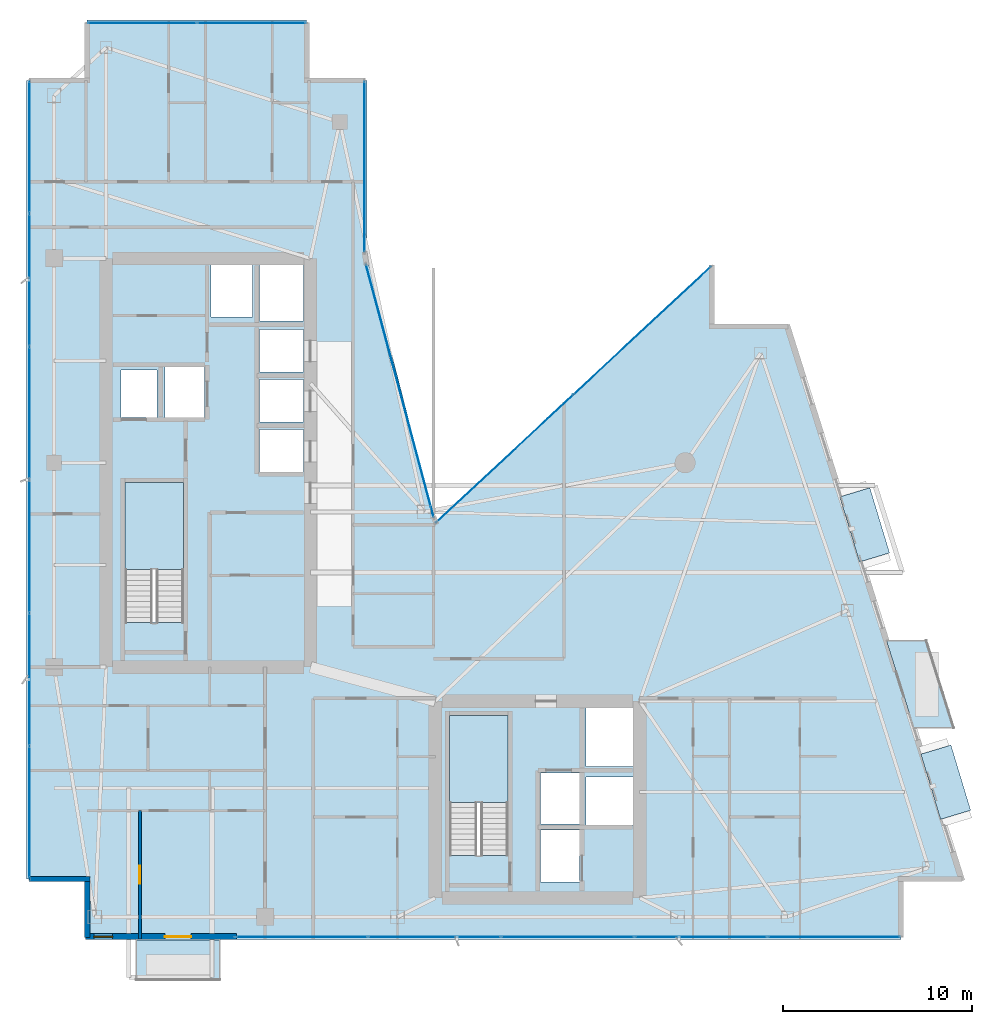
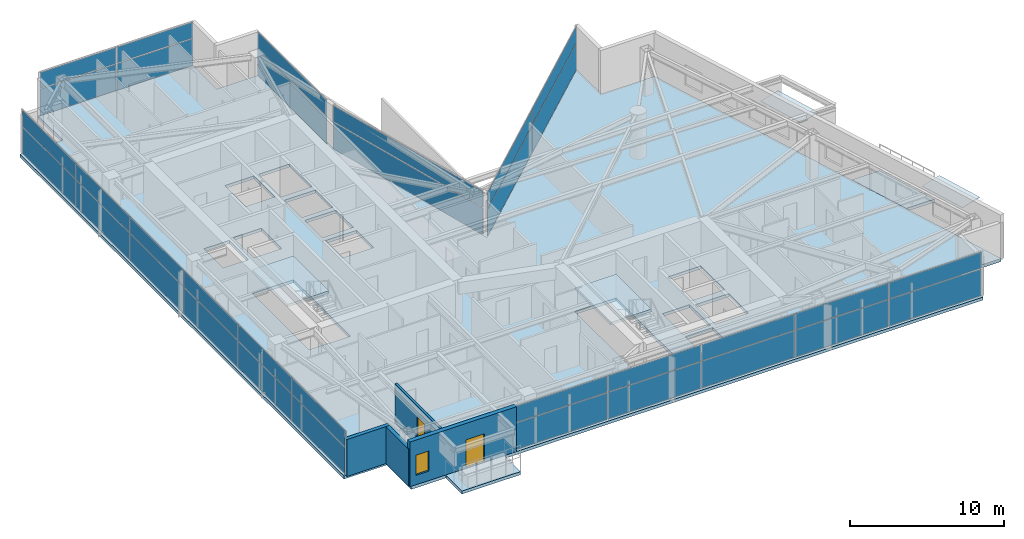
# One storey, part 21 of 27: 36 plates, 5 slabs, 4 walls, 2 doors, 1 window, 3 openings, 8 elements without a shape of their own.
"""IFC4 building model written with IfcOpenShell, lengths in metres."""

from ifc_helpers import new_model, si_unit, direction, frame, frame_2d, origin, origin_2d, place, context, subcontext, project, spatial, polyline, rectangle, outline, extrude, material, layer, layer_set, type_object, element, fill, aggregate, save


model = new_model("IFC4")

# Units and contexts
model_context = context("Model", 3, precision=1e-05, world=origin(), true_north=direction((0.0, 1.0)))
body_context = subcontext(model_context, "Body", "Model", "MODEL_VIEW")
ifc_project = project(units=[si_unit("LENGTHUNIT", "METRE"), si_unit("AREAUNIT", "SQUARE_METRE"), si_unit("VOLUMEUNIT", "CUBIC_METRE"), si_unit("PLANEANGLEUNIT", "RADIAN"), si_unit("MASSUNIT", "GRAM", prefix="KILO")], contexts=[model_context])

# Site, building, storey
site_placement = place(None, origin())
site = spatial("IfcSite", under=ifc_project, at=site_placement, CompositionType="ELEMENT")
building_placement = place(site_placement, origin())
building = spatial("IfcBuilding", under=site, at=building_placement, Name="Calvorn Quay Hotel", CompositionType="ELEMENT")
storey_placement = place(building_placement, frame((0.0, 0.0, 226.89990234375)))
storey = spatial("IfcBuildingStorey", under=building, at=storey_placement, Name="L56", CompositionType="ELEMENT", Elevation=226.89990234375)

# Curtain wall, plates
ifc_material_1 = material(Name="Champagne Bronze Anodised Aluminium and Low-E Glass", Category="aluminium")
ifc_layer_1 = layer(ifc_material_1, 0.219970703125)
ifc_layer_set_1 = layer_set([ifc_layer_1], Name="CW-SYS-Z3")
curtain_wall_type = type_object("IfcCurtainWallType", Name="CW-SYS-Z3", PredefinedType="NOTDEFINED", material=ifc_layer_set_1)
curtain_wall_1_placement = place(storey_placement, origin())
curtain_wall_1 = element("IfcCurtainWall", 1, at=curtain_wall_1_placement, inside=storey, type_object=curtain_wall_type, Name="Tower West Curtain Wall (L56)", PredefinedType="NOTDEFINED")
ifc_material_2 = material(Name="Low-E Laminated Double Glazing", Category="glass")
ifc_layer_2 = layer(ifc_material_2, 0.028076171875)
ifc_layer_set_2 = layer_set([ifc_layer_2], Name="CW-SYS-Z3-PAN")
plate_type_1 = type_object("IfcPlateType", Name="CW-SYS-Z3-PAN", PredefinedType="CURTAIN_PANEL", material=ifc_layer_set_2)
plate_1_placement = place(storey_placement, frame((0.14990234375, 9.131591796875, 0.06005859375), z_axis=(0.0, 0.0, 1.0), x_axis=(0.0, 1.0, 0.0)))
plate_1 = element("IfcPlate", 2, at=plate_1_placement, type_object=plate_type_1, Name="CW-L56-W panel 1.1", PredefinedType="CURTAIN_PANEL", context=body_context, shape_type="SweptSolid", body=[
    extrude(rectangle(XDim=6.943359375, YDim=0.028076171875, at=origin_2d()), origin(), (0.0, 0.0, 1.0), 2.110107421875),
])
plate_2_placement = place(storey_placement, frame((0.14990234375, 9.131591796875, 2.22998046875), z_axis=(0.0, 0.0, 1.0), x_axis=(0.0, 1.0, 0.0)))
plate_2 = element("IfcPlate", 3, at=plate_2_placement, type_object=plate_type_1, Name="CW-L56-W panel 1.2", PredefinedType="CURTAIN_PANEL", context=body_context, shape_type="SweptSolid", body=[
    extrude(rectangle(XDim=6.943359375, YDim=0.028076171875, at=origin_2d()), origin(), (0.0, 0.0, 1.0), 1.27001953125),
])
plate_3_placement = place(storey_placement, frame((0.14990234375, 16.14990234375, 0.06005859375), z_axis=(0.0, 0.0, 1.0), x_axis=(0.0, 1.0, 0.0)))
plate_3 = element("IfcPlate", 4, at=plate_3_placement, type_object=plate_type_1, Name="CW-L56-W panel 2.1", PredefinedType="CURTAIN_PANEL", context=body_context, shape_type="SweptSolid", body=[
    extrude(rectangle(XDim=6.973388671875, YDim=0.028076171875, at=origin_2d()), origin(), (0.0, 0.0, 1.0), 2.110107421875),
])
plate_4_placement = place(storey_placement, frame((0.14990234375, 16.14990234375, 2.22998046875), z_axis=(0.0, 0.0, 1.0), x_axis=(0.0, 1.0, 0.0)))
plate_4 = element("IfcPlate", 5, at=plate_4_placement, type_object=plate_type_1, Name="CW-L56-W panel 2.2", PredefinedType="CURTAIN_PANEL", context=body_context, shape_type="SweptSolid", body=[
    extrude(rectangle(XDim=6.973388671875, YDim=0.028076171875, at=origin_2d()), origin(), (0.0, 0.0, 1.0), 1.27001953125),
])
plate_5_placement = place(storey_placement, frame((0.14990234375, 23.183349609375, 0.06005859375), z_axis=(0.0, 0.0, 1.0), x_axis=(0.0, 1.0, 0.0)))
plate_5 = element("IfcPlate", 6, at=plate_5_placement, type_object=plate_type_1, Name="CW-L56-W panel 3.1", PredefinedType="CURTAIN_PANEL", context=body_context, shape_type="SweptSolid", body=[
    extrude(rectangle(XDim=6.973388671875, YDim=0.028076171875, at=origin_2d()), origin(), (0.0, 0.0, 1.0), 2.110107421875),
])
plate_6_placement = place(storey_placement, frame((0.14990234375, 23.183349609375, 2.22998046875), z_axis=(0.0, 0.0, 1.0), x_axis=(0.0, 1.0, 0.0)))
plate_6 = element("IfcPlate", 7, at=plate_6_placement, type_object=plate_type_1, Name="CW-L56-W panel 3.2", PredefinedType="CURTAIN_PANEL", context=body_context, shape_type="SweptSolid", body=[
    extrude(rectangle(XDim=6.973388671875, YDim=0.028076171875, at=origin_2d()), origin(), (0.0, 0.0, 1.0), 1.27001953125),
])
plate_7_placement = place(storey_placement, frame((0.14990234375, 30.216552734375, 0.06005859375), z_axis=(0.0, 0.0, 1.0), x_axis=(0.0, 1.0, 0.0)))
plate_7 = element("IfcPlate", 8, at=plate_7_placement, type_object=plate_type_1, Name="CW-L56-W panel 4.1", PredefinedType="CURTAIN_PANEL", context=body_context, shape_type="SweptSolid", body=[
    extrude(rectangle(XDim=6.973388671875, YDim=0.028076171875, at=origin_2d()), origin(), (0.0, 0.0, 1.0), 2.110107421875),
])
plate_8_placement = place(storey_placement, frame((0.14990234375, 30.216552734375, 2.22998046875), z_axis=(0.0, 0.0, 1.0), x_axis=(0.0, 1.0, 0.0)))
plate_8 = element("IfcPlate", 9, at=plate_8_placement, type_object=plate_type_1, Name="CW-L56-W panel 4.2", PredefinedType="CURTAIN_PANEL", context=body_context, shape_type="SweptSolid", body=[
    extrude(rectangle(XDim=6.973388671875, YDim=0.028076171875, at=origin_2d()), origin(), (0.0, 0.0, 1.0), 1.27001953125),
])
plate_9_placement = place(storey_placement, frame((0.14990234375, 37.25, 0.06005859375), z_axis=(0.0, 0.0, 1.0), x_axis=(0.0, 1.0, 0.0)))
plate_9 = element("IfcPlate", 10, at=plate_9_placement, type_object=plate_type_1, Name="CW-L56-W panel 5.1", PredefinedType="CURTAIN_PANEL", context=body_context, shape_type="SweptSolid", body=[
    extrude(rectangle(XDim=6.973388671875, YDim=0.028076171875, at=origin_2d()), origin(), (0.0, 0.0, 1.0), 2.110107421875),
])
plate_10_placement = place(storey_placement, frame((0.14990234375, 37.25, 2.22998046875), z_axis=(0.0, 0.0, 1.0), x_axis=(0.0, 1.0, 0.0)))
plate_10 = element("IfcPlate", 11, at=plate_10_placement, type_object=plate_type_1, Name="CW-L56-W panel 5.2", PredefinedType="CURTAIN_PANEL", context=body_context, shape_type="SweptSolid", body=[
    extrude(rectangle(XDim=6.973388671875, YDim=0.028076171875, at=origin_2d()), origin(), (0.0, 0.0, 1.0), 1.27001953125),
])
plate_11_placement = place(storey_placement, frame((0.14990234375, 44.268310546875, 0.06005859375), z_axis=(0.0, 0.0, 1.0), x_axis=(0.0, 1.0, 0.0)))
plate_11 = element("IfcPlate", 12, at=plate_11_placement, type_object=plate_type_1, Name="CW-L56-W panel 6.1", PredefinedType="CURTAIN_PANEL", context=body_context, shape_type="SweptSolid", body=[
    extrude(rectangle(XDim=6.943359375, YDim=0.028076171875, at=origin_2d()), origin(), (0.0, 0.0, 1.0), 2.110107421875),
])
plate_12_placement = place(storey_placement, frame((0.14990234375, 44.268310546875, 2.22998046875), z_axis=(0.0, 0.0, 1.0), x_axis=(0.0, 1.0, 0.0)))
plate_12 = element("IfcPlate", 13, at=plate_12_placement, type_object=plate_type_1, Name="CW-L56-W panel 6.2", PredefinedType="CURTAIN_PANEL", context=body_context, shape_type="SweptSolid", body=[
    extrude(rectangle(XDim=6.943359375, YDim=0.028076171875, at=origin_2d()), origin(), (0.0, 0.0, 1.0), 1.27001953125),
])
aggregate(curtain_wall_1, [plate_1, plate_2, plate_3, plate_4, plate_5, plate_6, plate_7, plate_8, plate_9, plate_10, plate_11, plate_12])

curtain_wall_2_placement = place(storey_placement, origin())
curtain_wall_2 = element("IfcCurtainWall", 14, at=curtain_wall_2_placement, inside=storey, type_object=curtain_wall_type, Name="Tower South Waterfront Curtain Wall (L56)", PredefinedType="NOTDEFINED")
plate_13_placement = place(storey_placement, frame((14.534912109375, 2.550048828125, 0.06005859375), z_axis=(0.0, 0.0, 1.0), x_axis=(1.0, 0.0, 0.0)))
plate_13 = element("IfcPlate", 15, at=plate_13_placement, type_object=plate_type_1, Name="CW-L56-S panel 1.1", PredefinedType="CURTAIN_PANEL", context=body_context, shape_type="SweptSolid", body=[
    extrude(rectangle(XDim=6.949951171875, YDim=0.028076171875, at=origin_2d()), origin(), (0.0, 0.0, 1.0), 2.110107421875),
])
plate_14_placement = place(storey_placement, frame((14.534912109375, 2.550048828125, 2.22998046875), z_axis=(0.0, 0.0, 1.0), x_axis=(1.0, 0.0, 0.0)))
plate_14 = element("IfcPlate", 16, at=plate_14_placement, type_object=plate_type_1, Name="CW-L56-S panel 1.2", PredefinedType="CURTAIN_PANEL", context=body_context, shape_type="SweptSolid", body=[
    extrude(rectangle(XDim=6.949951171875, YDim=0.028076171875, at=origin_2d()), origin(), (0.0, 0.0, 1.0), 1.27001953125),
])
plate_15_placement = place(storey_placement, frame((21.56005859375, 2.550048828125, 0.06005859375), z_axis=(0.0, 0.0, 1.0), x_axis=(1.0, 0.0, 0.0)))
plate_15 = element("IfcPlate", 17, at=plate_15_placement, type_object=plate_type_1, Name="CW-L56-S panel 2.1", PredefinedType="CURTAIN_PANEL", context=body_context, shape_type="SweptSolid", body=[
    extrude(rectangle(XDim=6.97998046875, YDim=0.028076171875, at=origin_2d()), origin(), (0.0, 0.0, 1.0), 2.110107421875),
])
plate_16_placement = place(storey_placement, frame((21.56005859375, 2.550048828125, 2.22998046875), z_axis=(0.0, 0.0, 1.0), x_axis=(1.0, 0.0, 0.0)))
plate_16 = element("IfcPlate", 18, at=plate_16_placement, type_object=plate_type_1, Name="CW-L56-S panel 2.2", PredefinedType="CURTAIN_PANEL", context=body_context, shape_type="SweptSolid", body=[
    extrude(rectangle(XDim=6.97998046875, YDim=0.028076171875, at=origin_2d()), origin(), (0.0, 0.0, 1.0), 1.27001953125),
])
plate_17_placement = place(storey_placement, frame((28.60009765625, 2.550048828125, 0.06005859375), z_axis=(0.0, 0.0, 1.0), x_axis=(1.0, 0.0, 0.0)))
plate_17 = element("IfcPlate", 19, at=plate_17_placement, type_object=plate_type_1, Name="CW-L56-S panel 3.1", PredefinedType="CURTAIN_PANEL", context=body_context, shape_type="SweptSolid", body=[
    extrude(rectangle(XDim=6.97998046875, YDim=0.028076171875, at=origin_2d()), origin(), (0.0, 0.0, 1.0), 2.110107421875),
])
plate_18_placement = place(storey_placement, frame((28.60009765625, 2.550048828125, 2.22998046875), z_axis=(0.0, 0.0, 1.0), x_axis=(1.0, 0.0, 0.0)))
plate_18 = element("IfcPlate", 20, at=plate_18_placement, type_object=plate_type_1, Name="CW-L56-S panel 3.2", PredefinedType="CURTAIN_PANEL", context=body_context, shape_type="SweptSolid", body=[
    extrude(rectangle(XDim=6.97998046875, YDim=0.028076171875, at=origin_2d()), origin(), (0.0, 0.0, 1.0), 1.27001953125),
])
plate_19_placement = place(storey_placement, frame((35.639892578125, 2.550048828125, 0.06005859375), z_axis=(0.0, 0.0, 1.0), x_axis=(1.0, 0.0, 0.0)))
plate_19 = element("IfcPlate", 21, at=plate_19_placement, type_object=plate_type_1, Name="CW-L56-S panel 4.1", PredefinedType="CURTAIN_PANEL", context=body_context, shape_type="SweptSolid", body=[
    extrude(rectangle(XDim=6.97998046875, YDim=0.028076171875, at=origin_2d()), origin(), (0.0, 0.0, 1.0), 2.110107421875),
])
plate_20_placement = place(storey_placement, frame((35.639892578125, 2.550048828125, 2.22998046875), z_axis=(0.0, 0.0, 1.0), x_axis=(1.0, 0.0, 0.0)))
plate_20 = element("IfcPlate", 22, at=plate_20_placement, type_object=plate_type_1, Name="CW-L56-S panel 4.2", PredefinedType="CURTAIN_PANEL", context=body_context, shape_type="SweptSolid", body=[
    extrude(rectangle(XDim=6.97998046875, YDim=0.028076171875, at=origin_2d()), origin(), (0.0, 0.0, 1.0), 1.27001953125),
])
plate_21_placement = place(storey_placement, frame((42.6650390625, 2.550048828125, 0.06005859375), z_axis=(0.0, 0.0, 1.0), x_axis=(1.0, 0.0, 0.0)))
plate_21 = element("IfcPlate", 23, at=plate_21_placement, type_object=plate_type_1, Name="CW-L56-S panel 5.1", PredefinedType="CURTAIN_PANEL", context=body_context, shape_type="SweptSolid", body=[
    extrude(rectangle(XDim=6.949951171875, YDim=0.028076171875, at=origin_2d()), origin(), (0.0, 0.0, 1.0), 2.110107421875),
])
plate_22_placement = place(storey_placement, frame((42.6650390625, 2.550048828125, 2.22998046875), z_axis=(0.0, 0.0, 1.0), x_axis=(1.0, 0.0, 0.0)))
plate_22 = element("IfcPlate", 24, at=plate_22_placement, type_object=plate_type_1, Name="CW-L56-S panel 5.2", PredefinedType="CURTAIN_PANEL", context=body_context, shape_type="SweptSolid", body=[
    extrude(rectangle(XDim=6.949951171875, YDim=0.028076171875, at=origin_2d()), origin(), (0.0, 0.0, 1.0), 1.27001953125),
])
aggregate(curtain_wall_2, [plate_13, plate_14, plate_15, plate_16, plate_17, plate_18, plate_19, plate_20, plate_21, plate_22])

curtain_wall_3_placement = place(storey_placement, origin())
curtain_wall_3 = element("IfcCurtainWall", 25, at=curtain_wall_3_placement, inside=storey, type_object=curtain_wall_type, Name="Inner Court Curtain Wall L56-NE1", PredefinedType="NOTDEFINED")
plate_23_placement = place(storey_placement, frame((32.5390625, 34.58984375, 0.06005859375), z_axis=(0.0, 0.0, 1.0), x_axis=(-0.731721570922, -0.681603655102, 0.0)))
plate_23 = element("IfcPlate", 26, at=plate_23_placement, type_object=plate_type_1, Name="CW-L56-NE1 panel 1.1", PredefinedType="CURTAIN_PANEL", context=body_context, shape_type="SweptSolid", body=[
    extrude(rectangle(XDim=9.886474609375, YDim=0.028076171875, at=origin_2d()), origin(), (0.0, 0.0, 1.0), 2.110107421875),
])
plate_24_placement = place(storey_placement, frame((32.5390625, 34.58984375, 2.22998046875), z_axis=(0.0, 0.0, 1.0), x_axis=(-0.731721570922, -0.681603655102, 0.0)))
plate_24 = element("IfcPlate", 27, at=plate_24_placement, type_object=plate_type_1, Name="CW-L56-NE1 panel 1.2", PredefinedType="CURTAIN_PANEL", context=body_context, shape_type="SweptSolid", body=[
    extrude(rectangle(XDim=9.886474609375, YDim=0.028076171875, at=origin_2d()), origin(), (0.0, 0.0, 1.0), 1.27001953125),
])
plate_25_placement = place(storey_placement, frame((25.260986328125, 27.810302734375, 0.06005859375), z_axis=(0.0, 0.0, 1.0), x_axis=(-0.731721570922, -0.681603655102, 0.0)))
plate_25 = element("IfcPlate", 28, at=plate_25_placement, type_object=plate_type_1, Name="CW-L56-NE1 panel 2.1", PredefinedType="CURTAIN_PANEL", context=body_context, shape_type="SweptSolid", body=[
    extrude(rectangle(XDim=9.886474609375, YDim=0.028076171875, at=origin_2d()), origin(), (0.0, 0.0, 1.0), 2.110107421875),
])
plate_26_placement = place(storey_placement, frame((25.260986328125, 27.810302734375, 2.22998046875), z_axis=(0.0, 0.0, 1.0), x_axis=(-0.731721570922, -0.681603655102, 0.0)))
plate_26 = element("IfcPlate", 29, at=plate_26_placement, type_object=plate_type_1, Name="CW-L56-NE1 panel 2.2", PredefinedType="CURTAIN_PANEL", context=body_context, shape_type="SweptSolid", body=[
    extrude(rectangle(XDim=9.886474609375, YDim=0.028076171875, at=origin_2d()), origin(), (0.0, 0.0, 1.0), 1.27001953125),
])
aggregate(curtain_wall_3, [plate_23, plate_24, plate_25, plate_26])

curtain_wall_4_placement = place(storey_placement, origin())
curtain_wall_4 = element("IfcCurtainWall", 30, at=curtain_wall_4_placement, inside=storey, type_object=curtain_wall_type, Name="Inner Court Curtain Wall L56-IC1", PredefinedType="NOTDEFINED")
plate_27_placement = place(storey_placement, frame((19.72509765625, 31.39990234375, 0.06005859375), z_axis=(0.0, 0.0, 1.0), x_axis=(-0.25877913024, 0.96593652056, 0.0)))
plate_27 = element("IfcPlate", 31, at=plate_27_placement, type_object=plate_type_1, Name="CW-L56-IC1 panel 1.1", PredefinedType="CURTAIN_PANEL", context=body_context, shape_type="SweptSolid", body=[
    extrude(rectangle(XDim=13.814697265625, YDim=0.028076171875, at=origin_2d()), origin(), (0.0, 0.0, 1.0), 2.110107421875),
])
plate_28_placement = place(storey_placement, frame((19.72509765625, 31.39990234375, 2.22998046875), z_axis=(0.0, 0.0, 1.0), x_axis=(-0.25877913024, 0.96593652056, 0.0)))
plate_28 = element("IfcPlate", 32, at=plate_28_placement, type_object=plate_type_1, Name="CW-L56-IC1 panel 1.2", PredefinedType="CURTAIN_PANEL", context=body_context, shape_type="SweptSolid", body=[
    extrude(rectangle(XDim=13.814697265625, YDim=0.028076171875, at=origin_2d()), origin(), (0.0, 0.0, 1.0), 1.27001953125),
])
aggregate(curtain_wall_4, [plate_27, plate_28])

curtain_wall_5_placement = place(storey_placement, origin())
curtain_wall_5 = element("IfcCurtainWall", 33, at=curtain_wall_5_placement, inside=storey, type_object=curtain_wall_type, Name="Inner Court Curtain Wall L56-IC2", PredefinedType="NOTDEFINED")
plate_29_placement = place(storey_placement, frame((17.85009765625, 43.239990234375, 0.06005859375), z_axis=(0.0, 0.0, 1.0), x_axis=(0.0, 1.0, 0.0)))
plate_29 = element("IfcPlate", 34, at=plate_29_placement, type_object=plate_type_1, Name="CW-L56-IC2 panel 1.1", PredefinedType="CURTAIN_PANEL", context=body_context, shape_type="SweptSolid", body=[
    extrude(rectangle(XDim=9.0, YDim=0.028076171875, at=origin_2d()), origin(), (0.0, 0.0, 1.0), 2.110107421875),
])
plate_30_placement = place(storey_placement, frame((17.85009765625, 43.239990234375, 2.22998046875), z_axis=(0.0, 0.0, 1.0), x_axis=(0.0, 1.0, 0.0)))
plate_30 = element("IfcPlate", 35, at=plate_30_placement, type_object=plate_type_1, Name="CW-L56-IC2 panel 1.2", PredefinedType="CURTAIN_PANEL", context=body_context, shape_type="SweptSolid", body=[
    extrude(rectangle(XDim=9.0, YDim=0.028076171875, at=origin_2d()), origin(), (0.0, 0.0, 1.0), 1.27001953125),
])
aggregate(curtain_wall_5, [plate_29, plate_30])

curtain_wall_6_placement = place(storey_placement, origin())
curtain_wall_6 = element("IfcCurtainWall", 36, at=curtain_wall_6_placement, inside=storey, type_object=curtain_wall_type, Name="Inner Court Curtain Wall L56-N1", PredefinedType="NOTDEFINED")
plate_31_placement = place(storey_placement, frame((11.885009765625, 50.85009765625, 0.06005859375), z_axis=(0.0, 0.0, 1.0), x_axis=(-1.0, 0.0, 0.0)))
plate_31 = element("IfcPlate", 37, at=plate_31_placement, type_object=plate_type_1, Name="CW-L56-N1 panel 1.1", PredefinedType="CURTAIN_PANEL", context=body_context, shape_type="SweptSolid", body=[
    extrude(rectangle(XDim=5.7099609375, YDim=0.028076171875, at=origin_2d()), origin(), (0.0, 0.0, 1.0), 2.110107421875),
])
plate_32_placement = place(storey_placement, frame((11.885009765625, 50.85009765625, 2.22998046875), z_axis=(0.0, 0.0, 1.0), x_axis=(-1.0, 0.0, 0.0)))
plate_32 = element("IfcPlate", 38, at=plate_32_placement, type_object=plate_type_1, Name="CW-L56-N1 panel 1.2", PredefinedType="CURTAIN_PANEL", context=body_context, shape_type="SweptSolid", body=[
    extrude(rectangle(XDim=5.7099609375, YDim=0.028076171875, at=origin_2d()), origin(), (0.0, 0.0, 1.0), 1.27001953125),
])
plate_33_placement = place(storey_placement, frame((6.114990234375, 50.85009765625, 0.06005859375), z_axis=(0.0, 0.0, 1.0), x_axis=(-1.0, 0.0, 0.0)))
plate_33 = element("IfcPlate", 39, at=plate_33_placement, type_object=plate_type_1, Name="CW-L56-N1 panel 2.1", PredefinedType="CURTAIN_PANEL", context=body_context, shape_type="SweptSolid", body=[
    extrude(rectangle(XDim=5.7099609375, YDim=0.028076171875, at=origin_2d()), origin(), (0.0, 0.0, 1.0), 2.110107421875),
])
plate_34_placement = place(storey_placement, frame((6.114990234375, 50.85009765625, 2.22998046875), z_axis=(0.0, 0.0, 1.0), x_axis=(-1.0, 0.0, 0.0)))
plate_34 = element("IfcPlate", 40, at=plate_34_placement, type_object=plate_type_1, Name="CW-L56-N1 panel 2.2", PredefinedType="CURTAIN_PANEL", context=body_context, shape_type="SweptSolid", body=[
    extrude(rectangle(XDim=5.7099609375, YDim=0.028076171875, at=origin_2d()), origin(), (0.0, 0.0, 1.0), 1.27001953125),
])
aggregate(curtain_wall_6, [plate_31, plate_32, plate_33, plate_34])

# Plates
ifc_material_3 = material(Name="Tempered Laminated Low-E Glass", Category="glass")
ifc_layer_3 = layer(ifc_material_3, 0.0380859375)
ifc_layer_set_3 = layer_set([ifc_layer_3], Name="PLT-HOOD-GLAZ")
plate_type_2 = type_object("IfcPlateType", Name="PLT-HOOD-GLAZ", PredefinedType="SHEET", material=ifc_layer_set_3)
for number, where, z_axis, x_axis, name in (
    (41, (48.573974609375, 10.718017578125, 2.467041015625), (0.0, 0.0, 1.0), (0.957319497532, 0.289031796944, 0.0), "Angled Glass Bay Hood Panel L56-HOOD-1"),
    (42, (44.2890625, 24.318115234375, 2.467041015625), (0.0, 0.0, 1.0), (0.957319497532, 0.289031796944, 0.0), "Angled Glass Bay Hood Panel L56-HOOD-3"),
):
    element("IfcPlate", number, at=place(storey_placement, frame(where, z_axis=z_axis, x_axis=x_axis)), inside=storey, type_object=plate_type_2, Name=name, PredefinedType="SHEET", context=body_context, shape_type="SweptSolid", body=[
        extrude(rectangle(XDim=1.659912109375, YDim=3.60009765625, at=origin_2d()), origin(), (0.0, 0.0, 1.0), 0.0380859375),
    ])

# Slabs
ifc_material_4 = material(Name="Concrete C40", Category="concrete")
ifc_layer_4 = layer(ifc_material_4, 0.239990234375)
ifc_layer_set_4 = layer_set([ifc_layer_4], Name="SLB-BALCONY-220")
slab_type_1 = type_object("IfcSlabType", Name="SLB-BALCONY-220", PredefinedType="FLOOR", material=ifc_layer_set_4)
slab_1_placement = place(storey_placement, frame((0.0, 0.0, -0.239990234375)))
element("IfcSlab", 43, at=slab_1_placement, inside=storey, type_object=slab_type_1, Name="Tree Balcony Slab L56-BALC-E", PredefinedType="FLOOR", context=body_context, shape_type="SweptSolid", body=[
    extrude(outline(polyline([(46.888916015625, 13.60009765625), (48.989013671875, 13.60009765625), (47.5400390625, 18.199951171875), (45.43994140625, 18.199951171875), (46.888916015625, 13.60009765625)])), origin(), (0.0, 0.0, 1.0), 0.239990234375),
])
slab_2_placement = place(storey_placement, frame((0.0, 0.0, -0.239990234375)))
element("IfcSlab", 44, at=slab_2_placement, inside=storey, type_object=slab_type_1, Name="Tree Balcony Slab L56-BALC-S", PredefinedType="FLOOR", context=body_context, shape_type="SweptSolid", body=[
    extrude(outline(polyline([(5.800048828125, 0.2900390625), (10.199951171875, 0.2900390625), (10.199951171875, 2.389892578125), (5.800048828125, 2.389892578125), (5.800048828125, 0.2900390625)])), origin(), (0.0, 0.0, 1.0), 0.239990234375),
])

# Stair, slab
ifc_material_5 = material(Name="Concrete C40", Category="concrete")
stair_type = type_object("IfcStairType", Name="STR-CORE-DOGLEG", PredefinedType="HALF_TURN_STAIR", material=ifc_material_5)
stair_1_placement = place(storey_placement, origin())
stair_1 = element("IfcStair", 45, at=stair_1_placement, inside=storey, type_object=stair_type, Name="L56 ST-W", PredefinedType="HALF_TURN_STAIR")
ifc_material_6 = material(Name="Concrete C40", Category="concrete")
ifc_layer_5 = layer(ifc_material_6, 0.199951171875)
ifc_layer_set_5 = layer_set([ifc_layer_5], Name="SLB-STAIR-LANDING-200")
slab_type_2 = type_object("IfcSlabType", Name="SLB-STAIR-LANDING-200", PredefinedType="LANDING", material=ifc_layer_set_5)
slab_3_placement = place(storey_placement, frame((0.0, 0.0, 1.7001953125)))
slab_3 = element("IfcSlab", 46, at=slab_3_placement, type_object=slab_type_2, Name="ST-W landing 1", PredefinedType="LANDING", context=body_context, shape_type="SweptSolid", body=[
    extrude(outline(polyline([(8.300048828125, 21.949951171875), (8.300048828125, 26.550048828125), (5.199951171875, 26.550048828125), (5.199951171875, 21.949951171875), (8.300048828125, 21.949951171875)])), origin(), (0.0, 0.0, 1.0), 0.199951171875),
])
aggregate(stair_1, [slab_3])

stair_2_placement = place(storey_placement, origin())
stair_2 = element("IfcStair", 47, at=stair_2_placement, inside=storey, type_object=stair_type, Name="L56 ST-E", PredefinedType="HALF_TURN_STAIR")
slab_4_placement = place(storey_placement, frame((0.0, 0.0, 1.7001953125)))
slab_4 = element("IfcSlab", 48, at=slab_4_placement, type_object=slab_type_2, Name="ST-E landing 1", PredefinedType="LANDING", context=body_context, shape_type="SweptSolid", body=[
    extrude(outline(polyline([(25.449951171875, 9.64990234375), (25.449951171875, 14.25), (22.35009765625, 14.25), (22.35009765625, 9.64990234375), (25.449951171875, 9.64990234375)])), origin(), (0.0, 0.0, 1.0), 0.199951171875),
])
aggregate(stair_2, [slab_4])

# Slab
ifc_material_7 = material(Name="Concrete C40", Category="concrete")
ifc_layer_6 = layer(ifc_material_7, 0.239990234375)
ifc_layer_set_6 = layer_set([ifc_layer_6], Name="SLB-TOWER-240")
slab_type_3 = type_object("IfcSlabType", Name="SLB-TOWER-240", PredefinedType="FLOOR", material=ifc_layer_set_6)
slab_5_placement = place(storey_placement, frame((0.0, 0.0, -0.239990234375)))
element("IfcSlab", 49, at=slab_5_placement, inside=storey, type_object=slab_type_3, Name="L56 Structural Floor Slab", PredefinedType="FLOOR", context=body_context, shape_type="SweptSolid", body=[
    extrude(outline(polyline([(0.0, 5.60009765625), (3.199951171875, 5.60009765625), (3.199951171875, 2.39990234375), (46.199951171875, 2.39990234375), (46.199951171875, 5.60009765625), (49.39990234375, 5.60009765625), (40.199951171875, 34.800048828125), (36.199951171875, 34.800048828125), (36.199951171875, 38.0), (21.60009765625, 24.39990234375), (18.0, 38.39990234375), (18.0, 47.800048828125), (14.800048828125, 47.800048828125), (14.800048828125, 51.0), (3.199951171875, 51.0), (3.199951171875, 47.800048828125), (0.0, 47.800048828125), (0.0, 5.60009765625)]), holes=[polyline([(5.199951171875, 19.156005859375), (8.300048828125, 19.156005859375), (8.300048828125, 26.550048828125), (5.199951171875, 26.550048828125), (5.199951171875, 19.156005859375)]), polyline([(22.35009765625, 6.85595703125), (25.449951171875, 6.85595703125), (25.449951171875, 14.25), (22.35009765625, 14.25), (22.35009765625, 6.85595703125)]), polyline([(5.0, 30.0), (6.89990234375, 30.0), (6.89990234375, 32.5), (5.0, 32.5), (5.0, 30.0)]), polyline([(7.300048828125, 30.0), (9.39990234375, 30.0), (9.39990234375, 32.64990234375), (7.300048828125, 32.64990234375), (7.300048828125, 30.0)]), polyline([(27.159912109375, 8.5), (29.2099609375, 8.5), (29.2099609375, 11.199951171875), (27.159912109375, 11.199951171875), (27.159912109375, 8.5)]), polyline([(27.159912109375, 5.449951171875), (29.2099609375, 5.449951171875), (29.2099609375, 8.199951171875), (27.159912109375, 8.199951171875), (27.159912109375, 5.449951171875)]), polyline([(12.300048828125, 27.10009765625), (14.639892578125, 27.10009765625), (14.639892578125, 29.35009765625), (12.300048828125, 29.35009765625), (12.300048828125, 27.10009765625)]), polyline([(12.300048828125, 29.75), (14.639892578125, 29.75), (14.639892578125, 32.0), (12.300048828125, 32.0), (12.300048828125, 29.75)]), polyline([(12.300048828125, 32.39990234375), (14.639892578125, 32.39990234375), (14.639892578125, 34.64990234375), (12.300048828125, 34.64990234375), (12.300048828125, 32.39990234375)]), polyline([(12.300048828125, 35.10009765625), (14.639892578125, 35.10009765625), (14.639892578125, 38.0400390625), (12.300048828125, 38.0400390625), (12.300048828125, 35.10009765625)]), polyline([(9.75, 35.300048828125), (11.949951171875, 35.300048828125), (11.949951171875, 38.0400390625), (9.75, 38.0400390625), (9.75, 35.300048828125)]), polyline([(29.550048828125, 11.550048828125), (32.0400390625, 11.550048828125), (32.0400390625, 14.639892578125), (29.550048828125, 14.639892578125), (29.550048828125, 11.550048828125)]), polyline([(29.550048828125, 8.449951171875), (32.0400390625, 8.449951171875), (32.0400390625, 11.0), (29.550048828125, 11.0), (29.550048828125, 8.449951171875)])]), origin(), (0.0, 0.0, 1.0), 0.239990234375),
])

# Wall, openings, door, window
ifc_material_8 = material(Name="Concrete C40", Category="concrete")
ifc_layer_7 = layer(ifc_material_8, 0.320068359375)
ifc_layer_set_7 = layer_set([ifc_layer_7], Name="WL-EXT-SPANDREL-320")
wall_type_1 = type_object("IfcWallType", Name="WL-EXT-SPANDREL-320", PredefinedType="SOLIDWALL", material=ifc_layer_set_7)
wall_1_placement = place(storey_placement, frame((3.10009765625, 2.56005859375, 0.0), z_axis=(0.0, 0.0, 1.0), x_axis=(1.0, 0.0, 0.0)))
wall_1 = element("IfcWall", 50, at=wall_1_placement, inside=storey, type_object=wall_type_1, Name="South Balcony Exterior Wall (L56)", PredefinedType="SOLIDWALL", context=body_context, shape_type="SweptSolid", body=[
    extrude(rectangle(XDim=8.0, YDim=0.320068359375, at=frame_2d((4.0, 0.0))), origin(), (0.0, 0.0, 1.0), 3.56005859375),
])
opening_1_placement = place(wall_1_placement, frame((0.449951171875, 0.0, 0.75)))
opening_1 = element("IfcOpeningElement", 51, at=opening_1_placement, cuts=wall_1, Name="Opening WSB-L56-1", PredefinedType="OPENING", context=body_context, shape_type="SweptSolid", body=[
    extrude(rectangle(XDim=1.0, YDim=1.60009765625, at=frame_2d((0.5, 0.800048828125))), frame((0.0, 0.169921875, 0.0), z_axis=(0.0, -1.0, 0.0), x_axis=(1.0, 0.0, 0.0)), (0.0, 0.0, 1.0), 0.340087890625),
])
opening_2_placement = place(wall_1_placement, frame((4.199951171875, 0.0, 0.0)))
opening_2 = element("IfcOpeningElement", 52, at=opening_2_placement, cuts=wall_1, Name="Opening DB-L56-2", PredefinedType="OPENING", context=body_context, shape_type="SweptSolid", body=[
    extrude(rectangle(XDim=1.39990234375, YDim=2.25, at=frame_2d((0.699951171875, 1.125))), frame((0.0, 0.169921875, 0.0), z_axis=(0.0, -1.0, 0.0), x_axis=(1.0, 0.0, 0.0)), (0.0, 0.0, 1.0), 0.340087890625),
])
ifc_material_9 = material(Name="Typhoon-Rated Low-E Aluminium Terrace Door", Category="aluminium")
door_type_1 = type_object("IfcDoorType", Name="DR-BALCONY-GLZ-1400", OperationType="NOTDEFINED", PredefinedType="DOOR", material=ifc_material_9)
door_1_placement = place(opening_2_placement, origin())
door_1 = element("IfcDoor", 53, at=door_1_placement, inside=storey, type_object=door_type_1, Name="Tree Balcony Terrace Door L56-BALC-S", OperationType="SINGLE_SWING_LEFT", OverallHeight=2.25, OverallWidth=1.39990234375, PredefinedType="DOOR", context=body_context, shape_type="SweptSolid", body=[
    extrude(rectangle(XDim=1.39990234375, YDim=2.25, at=frame_2d((0.699951171875, 1.125))), frame((0.0, 0.02490234375, 0.0), z_axis=(0.0, -1.0, 0.0), x_axis=(1.0, 0.0, 0.0)), (0.0, 0.0, 1.0), 0.050048828125),
])
fill(opening_2, door_1)
ifc_material_10 = material(Name="Self-Closing Class B Side Fire Window")
window_type = type_object("IfcWindowType", Name="WIN-REFUGE-NARROW-1000x1600", PartitioningType="SINGLE_PANEL", PredefinedType="WINDOW", material=ifc_material_10)
window_placement = place(opening_1_placement, origin())
window = element("IfcWindow", 54, at=window_placement, inside=storey, type_object=window_type, Name="South Waterfront Side Window (L56)", OverallHeight=1.60009765625, OverallWidth=1.0, PartitioningType="SINGLE_PANEL", PredefinedType="WINDOW", context=body_context, shape_type="SweptSolid", body=[
    extrude(rectangle(XDim=1.0, YDim=1.60009765625, at=frame_2d((0.5, 0.800048828125))), frame((0.0, 0.030029296875, 0.0), z_axis=(0.0, -1.0, 0.0), x_axis=(1.0, 0.0, 0.0)), (0.0, 0.0, 1.0), 0.06005859375),
])
fill(opening_1, window)

# Walls
wall_2_placement = place(storey_placement, frame((0.1201171875, 5.60009765625, 0.0), z_axis=(0.0, 0.0, 1.0), x_axis=(1.0, 0.0, 0.0)))
element("IfcWall", 55, at=wall_2_placement, inside=storey, type_object=wall_type_1, Name="Notched Corner Spandrel L56-SW1", PredefinedType="SOLIDWALL", context=body_context, shape_type="SweptSolid", body=[
    extrude(rectangle(XDim=3.219970703125, YDim=0.280029296875, at=frame_2d((1.60986328125, 0.0))), origin(), (0.0, 0.0, 1.0), 2.940185546875),
])
wall_3_placement = place(storey_placement, frame((3.199951171875, 5.4599609375, 0.0), z_axis=(0.0, 0.0, 1.0), x_axis=(0.0, -1.0, 0.0)))
element("IfcWall", 56, at=wall_3_placement, inside=storey, type_object=wall_type_1, Name="Notched Corner Spandrel L56-SW2", PredefinedType="SOLIDWALL", context=body_context, shape_type="SweptSolid", body=[
    extrude(rectangle(XDim=2.93994140625, YDim=0.280029296875, at=frame_2d((1.469970703125, 0.0))), origin(), (0.0, 0.0, 1.0), 2.940185546875),
])

# Wall, opening, door
ifc_material_11 = material(Name="Double-Stud Acoustic Gypsum Partition")
ifc_layer_8 = layer(ifc_material_11, 0.159912109375)
ifc_layer_set_8 = layer_set([ifc_layer_8], Name="WL-INTERSUITE-160")
wall_type_2 = type_object("IfcWallType", Name="WL-INTERSUITE-160", PredefinedType="PARTITIONING", material=ifc_layer_set_8)
wall_4_placement = place(storey_placement, frame((5.97998046875, 2.43994140625, 0.0), z_axis=(0.0, 0.0, 1.0), x_axis=(0.0, 1.0, 0.0)))
wall_4 = element("IfcWall", 57, at=wall_4_placement, inside=storey, type_object=wall_type_2, Name="Partition Wall L56-WL-U01-MSP", PredefinedType="PARTITIONING", context=body_context, shape_type="SweptSolid", body=[
    extrude(rectangle(XDim=6.780029296875, YDim=0.159912109375, at=frame_2d((3.39013671875, 0.0))), origin(), (0.0, 0.0, 1.0), 3.090087890625),
])
opening_3_placement = place(wall_4_placement, frame((2.909912109375, 0.0, 0.0)))
opening_3 = element("IfcOpeningElement", 58, at=opening_3_placement, cuts=wall_4, Name="Opening D-L56-M01", PredefinedType="OPENING", context=body_context, shape_type="SweptSolid", body=[
    extrude(rectangle(XDim=0.9599609375, YDim=2.199951171875, at=frame_2d((0.47998046875, 1.10009765625))), frame((0.0, 0.08984375, 0.0), z_axis=(0.0, -1.0, 0.0), x_axis=(1.0, 0.0, 0.0)), (0.0, 0.0, 1.0), 0.179931640625),
])
ifc_material_12 = material(Name="Solid Timber Internal Suite Door", Category="wood")
door_type_2 = type_object("IfcDoorType", Name="DR-SUITE-INT-960", OperationType="NOTDEFINED", PredefinedType="DOOR", material=ifc_material_12)
door_2_placement = place(opening_3_placement, origin())
door_2 = element("IfcDoor", 59, at=door_2_placement, inside=storey, type_object=door_type_2, Name="Suite Bedroom Door 01", OperationType="SINGLE_SWING_LEFT", OverallHeight=2.199951171875, OverallWidth=0.9599609375, PredefinedType="DOOR", context=body_context, shape_type="SweptSolid", body=[
    extrude(rectangle(XDim=0.9599609375, YDim=2.199951171875, at=frame_2d((0.47998046875, 1.10009765625))), frame((0.0, 0.02490234375, 0.0), z_axis=(0.0, -1.0, 0.0), x_axis=(1.0, 0.0, 0.0)), (0.0, 0.0, 1.0), 0.050048828125),
])
fill(opening_3, door_2)

save(model, "model.ifc")
